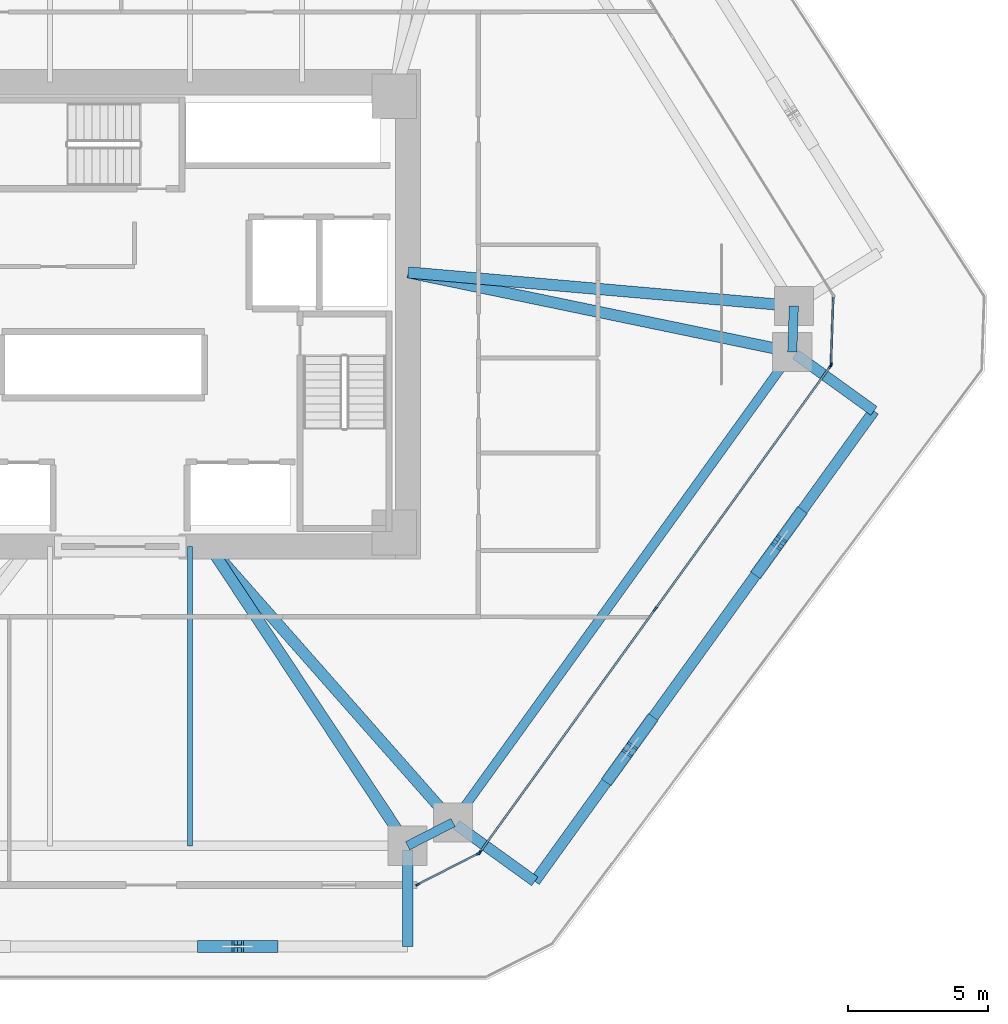
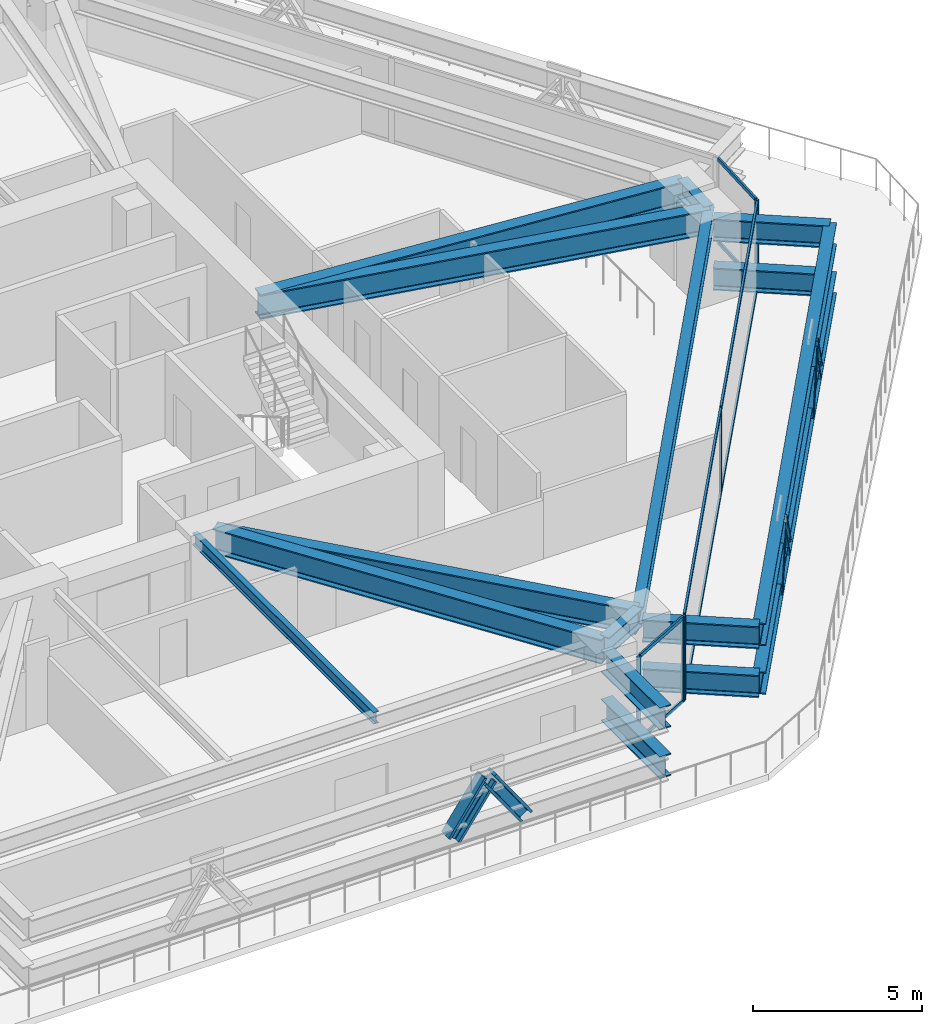
# One storey, part 5 of 20: 20 members, 16 beams, 3 elements without a shape of their own.
"""IFC4 building model written with IfcOpenShell, lengths in metres."""

from ifc_helpers import new_model, si_unit, direction, frame, origin, origin_2d, place, context, subcontext, project, spatial, rectangle, i_section, extrude, source, transform, mapped, material, layer, layer_set, material_profile, profile_set, type_object, type_shapes, element, aggregate, save


model = new_model("IFC4")

# Units and contexts
model_context = context("Model", 3, precision=1e-05, world=origin(), true_north=direction((0.0, 1.0)))
body_context = subcontext(model_context, "Body", "Model", "MODEL_VIEW")
ifc_project = project(units=[si_unit("LENGTHUNIT", "METRE"), si_unit("AREAUNIT", "SQUARE_METRE"), si_unit("VOLUMEUNIT", "CUBIC_METRE"), si_unit("PLANEANGLEUNIT", "RADIAN"), si_unit("MASSUNIT", "GRAM", prefix="KILO")], contexts=[model_context])

# Site, building, storey
site_placement = place(None, origin())
site = spatial("IfcSite", under=ifc_project, at=site_placement, CompositionType="ELEMENT")
building_placement = place(site_placement, origin())
building = spatial("IfcBuilding", under=site, at=building_placement, Name="Durnholm Broadcast Tower", CompositionType="ELEMENT")
storey_placement = place(building_placement, frame((0.0, 0.0, 32.39990234375)))
storey = spatial("IfcBuildingStorey", under=building, at=storey_placement, Name="L06", CompositionType="ELEMENT", Elevation=32.39990234375)

# Beams
ifc_material_1 = material(Name="Steel ASTM A992 Grade 50", Category="steel")
ifc_material_profile_1 = material_profile(ifc_material_1, i_section(OverallWidth=0.3291015625, OverallDepth=0.635009765625, WebThickness=0.017822265625, FlangeThickness=0.031005859375, FilletRadius=0.02783203125, at=origin_2d()), Name="W24X162")
ifc_profile_set_1 = profile_set([ifc_material_profile_1], Name="Steel ASTM A992 Grade 50")
beam_type_1 = type_object("IfcBeamType", Name="STL-SP-W24X162", PredefinedType="SPANDREL", material=ifc_profile_set_1)
shared_shape_1 = source(origin(), body_context, "Body", "SweptSolid", [
    extrude(i_section(OverallWidth=0.3291015625, OverallDepth=0.635009765625, WebThickness=0.017822265625, FlangeThickness=0.031005859375, FilletRadius=0.02783203125, at=origin_2d()), origin(), (0.0, 0.0, 1.0), 1.648193359375),
])
beam_1_placement = place(storey_placement, frame((24.0908203125, 0.2998046875, 2.7275390625), z_axis=(-0.033921477804, -0.999424501072, 0.0), x_axis=(0.999424501072, -0.033921477804, 0.0)))
element("IfcBeam", 1, at=beam_1_placement, inside=storey, type_object=beam_type_1, Name="L06 perimeter spandrel girder 08", PredefinedType="SPANDREL", context=body_context, shape_type="MappedRepresentation", body=[
    mapped(shared_shape_1, transform((0.0, 0.0, 0.0), x_axis=(1.0, 0.0, 0.0), y_axis=(0.0, 1.0, 0.0), z_axis=(0.0, 0.0, 1.0), scale=1.0)),
])
shared_shape_2 = source(origin(), body_context, "Body", "SweptSolid", [
    extrude(i_section(OverallWidth=0.3291015625, OverallDepth=0.635009765625, WebThickness=0.017822265625, FlangeThickness=0.031005859375, FilletRadius=0.02783203125, at=origin_2d()), origin(), (0.0, 0.0, 1.0), 20.737060546875),
])
beam_2_placement = place(storey_placement, frame((24.034912109375, -1.347412109375, 2.7275390625), z_axis=(-0.584821933191, -0.811161701795, 0.0), x_axis=(0.811161701795, -0.584821933191, 0.0)))
element("IfcBeam", 2, at=beam_2_placement, inside=storey, type_object=beam_type_1, Name="L06 perimeter spandrel girder 09", PredefinedType="SPANDREL", context=body_context, shape_type="MappedRepresentation", body=[
    mapped(shared_shape_2, transform((0.0, 0.0, 0.0), x_axis=(1.0, 0.0, 0.0), y_axis=(0.0, 1.0, 0.0), z_axis=(0.0, 0.0, 1.0), scale=1.0)),
])
shared_shape_3 = source(origin(), body_context, "Body", "SweptSolid", [
    extrude(i_section(OverallWidth=0.3291015625, OverallDepth=0.635009765625, WebThickness=0.017822265625, FlangeThickness=0.031005859375, FilletRadius=0.02783203125, at=origin_2d()), origin(), (0.0, 0.0, 1.0), 1.8251953125),
])
type_shapes(beam_type_1, [shared_shape_1, shared_shape_2, shared_shape_3])
beam_3_placement = place(storey_placement, frame((11.907470703125, -18.16845703125, 2.7275390625), z_axis=(-0.890187609501, -0.455594139438, 0.0), x_axis=(0.455594139438, -0.890187609501, 0.0)))
element("IfcBeam", 3, at=beam_3_placement, inside=storey, type_object=beam_type_1, Name="L06 perimeter spandrel girder 10", PredefinedType="SPANDREL", context=body_context, shape_type="MappedRepresentation", body=[
    mapped(shared_shape_3, transform((0.0, 0.0, 0.0), x_axis=(1.0, 0.0, 0.0), y_axis=(0.0, 1.0, 0.0), z_axis=(0.0, 0.0, 1.0), scale=1.0)),
])
ifc_material_profile_2 = material_profile(ifc_material_1, i_section(OverallWidth=0.404052734375, OverallDepth=0.885009765625, WebThickness=0.0244140625, FlangeThickness=0.0439453125, FilletRadius=0.03564453125, at=origin_2d()), Name="W33X291")
ifc_profile_set_2 = profile_set([ifc_material_profile_2], Name="Steel ASTM A992 Grade 50")
beam_type_2 = type_object("IfcBeamType", Name="STL-GR-W33X291", PredefinedType="USERDEFINED", material=ifc_profile_set_2)
shared_shape_4 = source(origin(), body_context, "Body", "SweptSolid", [
    extrude(i_section(OverallWidth=0.404052734375, OverallDepth=0.885009765625, WebThickness=0.0244140625, FlangeThickness=0.0439453125, FilletRadius=0.03564453125, at=origin_2d()), origin(), (0.0, 0.0, 1.0), 13.843017578125),
])
beam_4_placement = place(storey_placement, frame((10.300048828125, 1.5, 2.6025390625), z_axis=(0.996234364864, -0.086701154915, 0.0), x_axis=(0.086701154915, 0.996234364864, 0.0)))
element("IfcBeam", 4, at=beam_4_placement, inside=storey, type_object=beam_type_2, Name="L06 radial primary floor girder 08", ObjectType="GIRDER", PredefinedType="USERDEFINED", context=body_context, shape_type="MappedRepresentation", body=[
    mapped(shared_shape_4, transform((0.0, 0.0, 0.0), x_axis=(1.0, 0.0, 0.0), y_axis=(0.0, 1.0, 0.0), z_axis=(0.0, 0.0, 1.0), scale=1.0)),
])
shared_shape_5 = source(origin(), body_context, "Body", "SweptSolid", [
    extrude(i_section(OverallWidth=0.404052734375, OverallDepth=0.885009765625, WebThickness=0.0244140625, FlangeThickness=0.0439453125, FilletRadius=0.03564453125, at=origin_2d()), origin(), (0.0, 0.0, 1.0), 14.02685546875),
])
beam_5_placement = place(storey_placement, frame((10.300048828125, 1.5, 2.6025390625), z_axis=(0.979179487914, -0.202996380382, 0.0), x_axis=(0.202996380382, 0.979179487914, 0.0)))
element("IfcBeam", 5, at=beam_5_placement, inside=storey, type_object=beam_type_2, Name="L06 radial primary floor girder 09", ObjectType="GIRDER", PredefinedType="USERDEFINED", context=body_context, shape_type="MappedRepresentation", body=[
    mapped(shared_shape_5, transform((0.0, 0.0, 0.0), x_axis=(1.0, 0.0, 0.0), y_axis=(0.0, 1.0, 0.0), z_axis=(0.0, 0.0, 1.0), scale=1.0)),
])
shared_shape_6 = source(origin(), body_context, "Body", "SweptSolid", [
    extrude(i_section(OverallWidth=0.404052734375, OverallDepth=0.885009765625, WebThickness=0.0244140625, FlangeThickness=0.0439453125, FilletRadius=0.03564453125, at=origin_2d()), origin(), (0.0, 0.0, 1.0), 13.160888671875),
])
beam_6_placement = place(storey_placement, frame((3.199951171875, -8.300048828125, 2.6025390625), z_axis=(0.661625931866, -0.749834065832, 0.0), x_axis=(0.749834065832, 0.661625931866, 0.0)))
element("IfcBeam", 6, at=beam_6_placement, inside=storey, type_object=beam_type_2, Name="L06 radial primary floor girder 10", ObjectType="GIRDER", PredefinedType="USERDEFINED", context=body_context, shape_type="MappedRepresentation", body=[
    mapped(shared_shape_6, transform((0.0, 0.0, 0.0), x_axis=(1.0, 0.0, 0.0), y_axis=(0.0, 1.0, 0.0), z_axis=(0.0, 0.0, 1.0), scale=1.0)),
])
shared_shape_7 = source(origin(), body_context, "Body", "SweptSolid", [
    extrude(i_section(OverallWidth=0.404052734375, OverallDepth=0.885009765625, WebThickness=0.0244140625, FlangeThickness=0.0439453125, FilletRadius=0.03564453125, at=origin_2d()), origin(), (0.0, 0.0, 1.0), 12.831787109375),
])
type_shapes(beam_type_2, [shared_shape_4, shared_shape_5, shared_shape_6, shared_shape_7])
beam_7_placement = place(storey_placement, frame((3.199951171875, -8.300048828125, 2.6025390625), z_axis=(0.551970609544, -0.833863565699, 0.0), x_axis=(0.833863565699, 0.551970609544, 0.0)))
element("IfcBeam", 7, at=beam_7_placement, inside=storey, type_object=beam_type_2, Name="L06 radial primary floor girder 11", ObjectType="GIRDER", PredefinedType="USERDEFINED", context=body_context, shape_type="MappedRepresentation", body=[
    mapped(shared_shape_7, transform((0.0, 0.0, 0.0), x_axis=(1.0, 0.0, 0.0), y_axis=(0.0, 1.0, 0.0), z_axis=(0.0, 0.0, 1.0), scale=1.0)),
])
ifc_material_profile_3 = material_profile(ifc_material_1, i_section(OverallWidth=0.180908203125, OverallDepth=0.417236328125, WebThickness=0.010986328125, FlangeThickness=0.018310546875, FilletRadius=0.01904296875, at=origin_2d()), Name="W16X57")
ifc_profile_set_3 = profile_set([ifc_material_profile_3], Name="Steel ASTM A992 Grade 50")
beam_type_3 = type_object("IfcBeamType", Name="STL-BJ-W16X57", PredefinedType="JOIST", material=ifc_profile_set_3)
shared_shape_8 = source(origin(), body_context, "Body", "SweptSolid", [
    extrude(i_section(OverallWidth=0.180908203125, OverallDepth=0.417236328125, WebThickness=0.010986328125, FlangeThickness=0.018310546875, FilletRadius=0.01904296875, at=origin_2d()), origin(), (0.0, 0.0, 1.0), 10.699951171875),
])
type_shapes(beam_type_3, [shared_shape_8])
beam_8_placement = place(storey_placement, frame((2.5, -19.0, 2.83642578125), z_axis=(0.0, 1.0, 0.0), x_axis=(-1.0, 0.0, 0.0)))
element("IfcBeam", 8, at=beam_8_placement, inside=storey, type_object=beam_type_3, Name="L06 secondary floor joist 6.1", PredefinedType="JOIST", context=body_context, shape_type="MappedRepresentation", body=[
    mapped(shared_shape_8, transform((0.0, 0.0, 0.0), x_axis=(1.0, 0.0, 0.0), y_axis=(0.0, 1.0, 0.0), z_axis=(0.0, 0.0, 1.0), scale=1.0)),
])
ifc_material_profile_4 = material_profile(ifc_material_1, i_section(OverallWidth=0.385009765625, OverallDepth=0.802978515625, WebThickness=0.023681640625, FlangeThickness=0.0419921875, FilletRadius=0.032958984375, at=origin_2d()), Name="W30X261")
ifc_profile_set_4 = profile_set([ifc_material_profile_4], Name="Steel ASTM A992 Grade 50")
beam_type_4 = type_object("IfcBeamType", Name="BM-EXO-TIE", PredefinedType="USERDEFINED", material=ifc_profile_set_4)
shared_shape_9 = source(origin(), body_context, "Body", "SweptSolid", [
    extrude(i_section(OverallWidth=0.385009765625, OverallDepth=0.802978515625, WebThickness=0.023681640625, FlangeThickness=0.0419921875, FilletRadius=0.032958984375, at=origin_2d()), origin(), (0.0, 0.0, 1.0), 3.4560546875),
])
for number, where, z_axis, x_axis, name in (
    (9, (10.28271484375, -19.14404296875, 0.550048828125), (0.0, -1.0, 0.0), (1.0, 0.0, 0.0), "L06 zone-base exoskeleton stand-off tie bracket F1.2"),
    (10, (10.28271484375, -19.14404296875, 2.30859375), (0.0, -1.0, 0.0), (1.0, 0.0, 0.0), "L06 exoskeleton stand-off tie bracket F1.2"),
    (11, (12.024169921875, -18.252685546875, 0.550048828125), (0.811157675106, -0.584827518262, 0.0), (0.584827518262, 0.811157675106, 0.0), "L06 zone-base exoskeleton stand-off tie bracket F2.1"),
    (12, (12.024169921875, -18.252685546875, 2.30859375), (0.811157675106, -0.584827518262, 0.0), (0.584827518262, 0.811157675106, 0.0), "L06 exoskeleton stand-off tie bracket F2.1"),
):
    element("IfcBeam", number, at=place(storey_placement, frame(where, z_axis=z_axis, x_axis=x_axis)), inside=storey, type_object=beam_type_4, Name=name, ObjectType="GIRDER", PredefinedType="USERDEFINED", context=body_context, shape_type="MappedRepresentation", body=[
        mapped(shared_shape_9, transform((0.0, 0.0, 0.0), x_axis=(1.0, 0.0, 0.0), y_axis=(0.0, 1.0, 0.0), z_axis=(0.0, 0.0, 1.0), scale=1.0)),
    ])

# Members
ifc_material_2 = material(Name="Steel ASTM A913 Grade 65", Category="steel")
ifc_material_profile_5 = material_profile(ifc_material_2, i_section(OverallWidth=0.43212890625, OverallDepth=0.497802734375, WebThickness=0.0556640625, FlangeThickness=0.0888671875, FilletRadius=0.030517578125, at=origin_2d()), Name="W14X500")
ifc_profile_set_5 = profile_set([ifc_material_profile_5], Name="Steel ASTM A913 Grade 65")
member_type_1 = type_object("IfcMemberType", Name="STL-DG-W14X500", PredefinedType="BRACE", material=ifc_profile_set_5)
shared_shape_10 = source(origin(), body_context, "Body", "SweptSolid", [
    extrude(i_section(OverallWidth=0.43212890625, OverallDepth=0.497802734375, WebThickness=0.0556640625, FlangeThickness=0.0888671875, FilletRadius=0.030517578125, at=origin_2d()), origin(), (0.0, 0.0, 1.0), 2.148193359375),
])
type_shapes(member_type_1, [shared_shape_10])
for number, where, z_axis, x_axis, name in (
    (13, (2.968994140625, -22.60009765625, 0.550048828125), (0.574369639306, 0.0, 0.818596064884), (0.0, 1.0, 0.0), "L06 stand-off diagrid brace F1.D2.1"),
    (14, (5.436767578125, -22.60009765625, 0.550048828125), (-0.574369639306, 0.0, 0.818596064884), (0.0, -1.0, 0.0), "L06 stand-off diagrid brace F1.D2.2"),
    (15, (17.501708984375, -16.564697265625, 0.550048828125), (0.335946084323, 0.465846752247, 0.818612870562), (-0.81109123444, 0.58491966065, 0.0), "L06 stand-off diagrid brace F2.D1.1"),
    (16, (18.94482421875, -14.563232421875, 0.550048828125), (-0.335845256058, -0.465864536237, 0.818644121618), (0.811185111535, -0.584789461963, 0.0), "L06 stand-off diagrid brace F2.D1.2"),
    (17, (22.837890625, -9.163330078125, 0.550048828125), (0.335946084323, 0.465846752247, 0.818612870562), (-0.81109123444, 0.58491966065, 0.0), "L06 stand-off diagrid brace F2.D2.1"),
    (18, (24.281005859375, -7.161865234375, 0.550048828125), (-0.335845256058, -0.465864536237, 0.818644121618), (0.811185111535, -0.584789461963, 0.0), "L06 stand-off diagrid brace F2.D2.2"),
):
    element("IfcMember", number, at=place(storey_placement, frame(where, z_axis=z_axis, x_axis=x_axis)), inside=storey, type_object=member_type_1, Name=name, PredefinedType="BRACE", context=body_context, shape_type="MappedRepresentation", body=[
        mapped(shared_shape_10, transform((0.0, 0.0, 0.0), x_axis=(1.0, 0.0, 0.0), y_axis=(0.0, 1.0, 0.0), z_axis=(0.0, 0.0, 1.0), scale=1.0)),
    ])

# Beams
shared_shape_11 = source(origin(), body_context, "Body", "SweptSolid", [
    extrude(i_section(OverallWidth=0.385009765625, OverallDepth=0.802978515625, WebThickness=0.023681640625, FlangeThickness=0.0419921875, FilletRadius=0.032958984375, at=origin_2d()), origin(), (0.0, 0.0, 1.0), 3.455810546875),
])
for number, where, z_axis, x_axis, name in (
    (19, (24.15185546875, -1.431396484375, 0.550048828125), (0.811133512552, -0.584861030344, 0.0), (0.584861030344, 0.811133512552, 0.0), "L06 zone-base exoskeleton stand-off tie bracket F2.2"),
    (20, (24.15185546875, -1.431396484375, 2.30859375), (0.811133512552, -0.584861030344, 0.0), (0.584861030344, 0.811133512552, 0.0), "L06 exoskeleton stand-off tie bracket F2.2"),
):
    element("IfcBeam", number, at=place(storey_placement, frame(where, z_axis=z_axis, x_axis=x_axis)), inside=storey, type_object=beam_type_4, Name=name, ObjectType="GIRDER", PredefinedType="USERDEFINED", context=body_context, shape_type="MappedRepresentation", body=[
        mapped(shared_shape_11, transform((0.0, 0.0, 0.0), x_axis=(1.0, 0.0, 0.0), y_axis=(0.0, 1.0, 0.0), z_axis=(0.0, 0.0, 1.0), scale=1.0)),
    ])
shared_shape_12 = source(origin(), body_context, "Body", "SweptSolid", [
    extrude(i_section(OverallWidth=0.385009765625, OverallDepth=0.802978515625, WebThickness=0.023681640625, FlangeThickness=0.0419921875, FilletRadius=0.032958984375, at=origin_2d()), origin(), (0.0, 0.0, 1.0), 20.737060546875),
])
type_shapes(beam_type_4, [shared_shape_9, shared_shape_11, shared_shape_12])
for number, where, z_axis, x_axis, name in (
    (21, (14.82763671875, -20.27392578125, 0.550048828125), (0.5848163482, 0.811165728368, 0.0), (-0.811165728368, 0.5848163482, 0.0), "L06 zone-base exoskeleton collector spandrel F2"),
    (22, (14.82763671875, -20.27392578125, 2.30859375), (0.5848163482, 0.811165728368, 0.0), (-0.811165728368, 0.5848163482, 0.0), "L06 exoskeleton collector spandrel F2"),
):
    element("IfcBeam", number, at=place(storey_placement, frame(where, z_axis=z_axis, x_axis=x_axis)), inside=storey, type_object=beam_type_4, Name=name, PredefinedType="SPANDREL", context=body_context, shape_type="MappedRepresentation", body=[
        mapped(shared_shape_12, transform((0.0, 0.0, 0.0), x_axis=(1.0, 0.0, 0.0), y_axis=(0.0, 1.0, 0.0), z_axis=(0.0, 0.0, 1.0), scale=1.0)),
    ])

# Curtain wall, member
ifc_material_3 = material(Name="Aluminium and Solar Control IGU", Category="aluminium")
ifc_layer_1 = layer(ifc_material_3, 0.1650390625)
ifc_layer_set_1 = layer_set([ifc_layer_1], Name="Aluminium and Solar Control IGU")
curtain_wall_type_1 = type_object("IfcCurtainWallType", Name="CW-SYS-5", PredefinedType="NOTDEFINED", material=ifc_layer_set_1)
curtain_wall_1_placement = place(storey_placement, origin())
curtain_wall_1 = element("IfcCurtainWall", 23, at=curtain_wall_1_placement, inside=storey, type_object=curtain_wall_type_1, Name="L06 curtain wall CW-CORNER CW-L06-CRN-07", PredefinedType="NOTDEFINED")
ifc_material_4 = material(Name="Aluminium 6063-T6", Category="aluminium")
ifc_material_profile_6 = material_profile(ifc_material_4, rectangle(XDim=0.06494140625, YDim=0.1650390625, at=origin_2d()), Name="CWM65X165")
ifc_profile_set_6 = profile_set([ifc_material_profile_6], Name="Aluminium 6063-T6")
member_type_2 = type_object("IfcMemberType", Name="CW-SYS-5-MUL", PredefinedType="MULLION", material=ifc_profile_set_6)
shared_shape_13 = source(origin(), body_context, "Body", "SweptSolid", [
    extrude(rectangle(XDim=0.06494140625, YDim=0.1650390625, at=origin_2d()), origin(), (0.0, 0.0, 1.0), 3.06005859375),
])
type_shapes(member_type_2, [shared_shape_13])
member_1_placement = place(storey_placement, frame((25.4208984375, -1.7880859375, 0.0), z_axis=(0.0, 0.0, 1.0), x_axis=(0.999427277772, -0.033839569233, 0.0)))
member_1 = element("IfcMember", 24, at=member_1_placement, type_object=member_type_2, Name="CW-CORNER mullion 2", PredefinedType="MULLION", context=body_context, shape_type="MappedRepresentation", body=[
    mapped(shared_shape_13, transform((0.0, 0.0, 0.0), x_axis=(1.0, 0.0, 0.0), y_axis=(0.0, 1.0, 0.0), z_axis=(0.0, 0.0, 1.0), scale=1.0)),
])

# Curtain wall, members
curtain_wall_2_placement = place(storey_placement, origin())
curtain_wall_2 = element("IfcCurtainWall", 25, at=curtain_wall_2_placement, inside=storey, type_object=curtain_wall_type_1, Name="L06 curtain wall CW-CORNER CW-L06-CRN-09", PredefinedType="NOTDEFINED")
member_2_placement = place(storey_placement, frame((12.816650390625, -19.27587890625, 0.0), z_axis=(0.0, 0.0, 1.0), x_axis=(0.455593758406, -0.890187804512, 0.0)))
member_2 = element("IfcMember", 26, at=member_2_placement, type_object=member_type_2, Name="CW-CORNER mullion 1", PredefinedType="MULLION", context=body_context, shape_type="MappedRepresentation", body=[
    mapped(shared_shape_13, transform((0.0, 0.0, 0.0), x_axis=(1.0, 0.0, 0.0), y_axis=(0.0, 1.0, 0.0), z_axis=(0.0, 0.0, 1.0), scale=1.0)),
])
member_3_placement = place(storey_placement, frame((10.649169921875, -20.38525390625, 0.0), z_axis=(0.0, 0.0, 1.0), x_axis=(0.455593758406, -0.890187804512, 0.0)))
member_3 = element("IfcMember", 27, at=member_3_placement, type_object=member_type_2, Name="CW-CORNER mullion 2", PredefinedType="MULLION", context=body_context, shape_type="MappedRepresentation", body=[
    mapped(shared_shape_13, transform((0.0, 0.0, 0.0), x_axis=(1.0, 0.0, 0.0), y_axis=(0.0, 1.0, 0.0), z_axis=(0.0, 0.0, 1.0), scale=1.0)),
])

# Member
ifc_material_profile_7 = material_profile(ifc_material_4, rectangle(XDim=0.06494140625, YDim=0.1298828125, at=origin_2d()), Name="CWT65X130")
ifc_profile_set_7 = profile_set([ifc_material_profile_7], Name="Aluminium 6063-T6")
member_type_3 = type_object("IfcMemberType", Name="CW-SYS-5-TRN", PredefinedType="USERDEFINED", material=ifc_profile_set_7)
shared_shape_14 = source(origin(), body_context, "Body", "SweptSolid", [
    extrude(rectangle(XDim=0.06494140625, YDim=0.1298828125, at=origin_2d()), origin(), (0.0, 0.0, 1.0), 2.3701171875),
])
type_shapes(member_type_3, [shared_shape_14])
member_4_placement = place(storey_placement, frame((25.502197265625, 0.613037109375, 0.03271484375), z_axis=(-0.033788158898, -0.999429017148, 0.0), x_axis=(0.999429017148, -0.033788158898, 0.0)))
member_4 = element("IfcMember", 28, at=member_4_placement, type_object=member_type_3, Name="CW-CORNER transom 1.1", ObjectType="TRANSOM", PredefinedType="USERDEFINED", context=body_context, shape_type="MappedRepresentation", body=[
    mapped(shared_shape_14, transform((0.0, 0.0, 0.0), x_axis=(1.0, 0.0, 0.0), y_axis=(0.0, 1.0, 0.0), z_axis=(0.0, 0.0, 1.0), scale=1.0)),
])

member_5_placement = place(storey_placement, frame((25.502197265625, 0.613037109375, 3.027587890625), z_axis=(-0.033788158898, -0.999429017148, 0.0), x_axis=(0.999429017148, -0.033788158898, 0.0)))
member_5 = element("IfcMember", 29, at=member_5_placement, type_object=member_type_3, Name="CW-CORNER transom 1.2", ObjectType="TRANSOM", PredefinedType="USERDEFINED", context=body_context, shape_type="MappedRepresentation", body=[
    mapped(shared_shape_14, transform((0.0, 0.0, 0.0), x_axis=(1.0, 0.0, 0.0), y_axis=(0.0, 1.0, 0.0), z_axis=(0.0, 0.0, 1.0), scale=1.0)),
])

aggregate(curtain_wall_1, [member_1, member_4, member_5])

member_6_placement = place(storey_placement, frame((12.787841796875, -19.29052734375, 0.03271484375), z_axis=(-0.890185016934, -0.455599205033, 0.0), x_axis=(0.455599205033, -0.890185016934, 0.0)))
member_6 = element("IfcMember", 30, at=member_6_placement, type_object=member_type_3, Name="CW-CORNER transom 1.1", ObjectType="TRANSOM", PredefinedType="USERDEFINED", context=body_context, shape_type="MappedRepresentation", body=[
    mapped(shared_shape_14, transform((0.0, 0.0, 0.0), x_axis=(1.0, 0.0, 0.0), y_axis=(0.0, 1.0, 0.0), z_axis=(0.0, 0.0, 1.0), scale=1.0)),
])

member_7_placement = place(storey_placement, frame((12.787841796875, -19.29052734375, 3.027587890625), z_axis=(-0.890185016934, -0.455599205033, 0.0), x_axis=(0.455599205033, -0.890185016934, 0.0)))
member_7 = element("IfcMember", 31, at=member_7_placement, type_object=member_type_3, Name="CW-CORNER transom 1.2", ObjectType="TRANSOM", PredefinedType="USERDEFINED", context=body_context, shape_type="MappedRepresentation", body=[
    mapped(shared_shape_14, transform((0.0, 0.0, 0.0), x_axis=(1.0, 0.0, 0.0), y_axis=(0.0, 1.0, 0.0), z_axis=(0.0, 0.0, 1.0), scale=1.0)),
])

aggregate(curtain_wall_2, [member_2, member_3, member_6, member_7])

# Curtain wall, members
ifc_layer_2 = layer(ifc_material_3, 0.18994140625)
ifc_layer_set_2 = layer_set([ifc_layer_2], Name="Aluminium and Solar Control IGU")
curtain_wall_type_2 = type_object("IfcCurtainWallType", Name="CW-SYS-3", PredefinedType="NOTDEFINED", material=ifc_layer_set_2)
curtain_wall_3_placement = place(storey_placement, origin())
curtain_wall_3 = element("IfcCurtainWall", 32, at=curtain_wall_3_placement, inside=storey, type_object=curtain_wall_type_2, Name="L06 curtain wall CW-Z12-VIS CW-L06-F08", PredefinedType="NOTDEFINED")
ifc_material_profile_8 = material_profile(ifc_material_4, rectangle(XDim=0.070068359375, YDim=0.18994140625, at=origin_2d()), Name="CWM70X190")
ifc_profile_set_8 = profile_set([ifc_material_profile_8], Name="Aluminium 6063-T6")
member_type_4 = type_object("IfcMemberType", Name="CW-SYS-3-MUL", PredefinedType="MULLION", material=ifc_profile_set_8)
shared_shape_15 = source(origin(), body_context, "Body", "SweptSolid", [
    extrude(rectangle(XDim=0.070068359375, YDim=0.18994140625, at=origin_2d()), origin(), (0.0, 0.0, 1.0), 3.06005859375),
])
type_shapes(member_type_4, [shared_shape_15])
member_8_placement = place(storey_placement, frame((25.3994140625, -1.848876953125, 0.0), z_axis=(0.0, 0.0, 1.0), x_axis=(0.81116057493, -0.584823496176, 0.0)))
member_8 = element("IfcMember", 33, at=member_8_placement, type_object=member_type_4, Name="CW-Z12-VIS mullion 1", PredefinedType="MULLION", context=body_context, shape_type="MappedRepresentation", body=[
    mapped(shared_shape_15, transform((0.0, 0.0, 0.0), x_axis=(1.0, 0.0, 0.0), y_axis=(0.0, 1.0, 0.0), z_axis=(0.0, 0.0, 1.0), scale=1.0)),
])
member_9_placement = place(storey_placement, frame((19.1328125, -10.540771484375, 0.0), z_axis=(0.0, 0.0, 1.0), x_axis=(0.81116057493, -0.584823496176, 0.0)))
member_9 = element("IfcMember", 34, at=member_9_placement, type_object=member_type_4, Name="CW-Z12-VIS mullion 2", PredefinedType="MULLION", context=body_context, shape_type="MappedRepresentation", body=[
    mapped(shared_shape_15, transform((0.0, 0.0, 0.0), x_axis=(1.0, 0.0, 0.0), y_axis=(0.0, 1.0, 0.0), z_axis=(0.0, 0.0, 1.0), scale=1.0)),
])
member_10_placement = place(storey_placement, frame((12.8662109375, -19.232666015625, 0.0), z_axis=(0.0, 0.0, 1.0), x_axis=(0.81116057493, -0.584823496176, 0.0)))
member_10 = element("IfcMember", 35, at=member_10_placement, type_object=member_type_4, Name="CW-Z12-VIS mullion 3", PredefinedType="MULLION", context=body_context, shape_type="MappedRepresentation", body=[
    mapped(shared_shape_15, transform((0.0, 0.0, 0.0), x_axis=(1.0, 0.0, 0.0), y_axis=(0.0, 1.0, 0.0), z_axis=(0.0, 0.0, 1.0), scale=1.0)),
])
ifc_material_profile_9 = material_profile(ifc_material_4, rectangle(XDim=0.070068359375, YDim=0.14990234375, at=origin_2d()), Name="CWT70X150")
ifc_profile_set_9 = profile_set([ifc_material_profile_9], Name="Aluminium 6063-T6")
member_type_5 = type_object("IfcMemberType", Name="CW-SYS-3-TRN", PredefinedType="USERDEFINED", material=ifc_profile_set_9)
shared_shape_16 = source(origin(), body_context, "Body", "SweptSolid", [
    extrude(rectangle(XDim=0.070068359375, YDim=0.14990234375, at=origin_2d()), origin(), (0.0, 0.0, 1.0), 10.6455078125),
])
member_11_placement = place(storey_placement, frame((25.37890625, -1.877197265625, 0.03515625), z_axis=(-0.584812103659, -0.811168788486, 0.0), x_axis=(0.811168788486, -0.584812103659, 0.0)))
member_11 = element("IfcMember", 36, at=member_11_placement, type_object=member_type_5, Name="CW-Z12-VIS transom 1.1", ObjectType="TRANSOM", PredefinedType="USERDEFINED", context=body_context, shape_type="MappedRepresentation", body=[
    mapped(shared_shape_16, transform((0.0, 0.0, 0.0), x_axis=(1.0, 0.0, 0.0), y_axis=(0.0, 1.0, 0.0), z_axis=(0.0, 0.0, 1.0), scale=1.0)),
])
member_12_placement = place(storey_placement, frame((25.37890625, -1.877197265625, 3.025146484375), z_axis=(-0.584812103659, -0.811168788486, 0.0), x_axis=(0.811168788486, -0.584812103659, 0.0)))
member_12 = element("IfcMember", 37, at=member_12_placement, type_object=member_type_5, Name="CW-Z12-VIS transom 1.2", ObjectType="TRANSOM", PredefinedType="USERDEFINED", context=body_context, shape_type="MappedRepresentation", body=[
    mapped(shared_shape_16, transform((0.0, 0.0, 0.0), x_axis=(1.0, 0.0, 0.0), y_axis=(0.0, 1.0, 0.0), z_axis=(0.0, 0.0, 1.0), scale=1.0)),
])
shared_shape_17 = source(origin(), body_context, "Body", "SweptSolid", [
    extrude(rectangle(XDim=0.070068359375, YDim=0.14990234375, at=origin_2d()), origin(), (0.0, 0.0, 1.0), 10.645263671875),
])
type_shapes(member_type_5, [shared_shape_16, shared_shape_17])
member_13_placement = place(storey_placement, frame((19.1123046875, -10.569091796875, 0.03515625), z_axis=(-0.584822983179, -0.811160944786, 0.0), x_axis=(0.811160944786, -0.584822983179, 0.0)))
member_13 = element("IfcMember", 38, at=member_13_placement, type_object=member_type_5, Name="CW-Z12-VIS transom 2.1", ObjectType="TRANSOM", PredefinedType="USERDEFINED", context=body_context, shape_type="MappedRepresentation", body=[
    mapped(shared_shape_17, transform((0.0, 0.0, 0.0), x_axis=(1.0, 0.0, 0.0), y_axis=(0.0, 1.0, 0.0), z_axis=(0.0, 0.0, 1.0), scale=1.0)),
])
member_14_placement = place(storey_placement, frame((19.1123046875, -10.569091796875, 3.025146484375), z_axis=(-0.584822983179, -0.811160944786, 0.0), x_axis=(0.811160944786, -0.584822983179, 0.0)))
member_14 = element("IfcMember", 39, at=member_14_placement, type_object=member_type_5, Name="CW-Z12-VIS transom 2.2", ObjectType="TRANSOM", PredefinedType="USERDEFINED", context=body_context, shape_type="MappedRepresentation", body=[
    mapped(shared_shape_17, transform((0.0, 0.0, 0.0), x_axis=(1.0, 0.0, 0.0), y_axis=(0.0, 1.0, 0.0), z_axis=(0.0, 0.0, 1.0), scale=1.0)),
])
aggregate(curtain_wall_3, [member_8, member_9, member_10, member_11, member_12, member_13, member_14])

save(model, "model.ifc")
